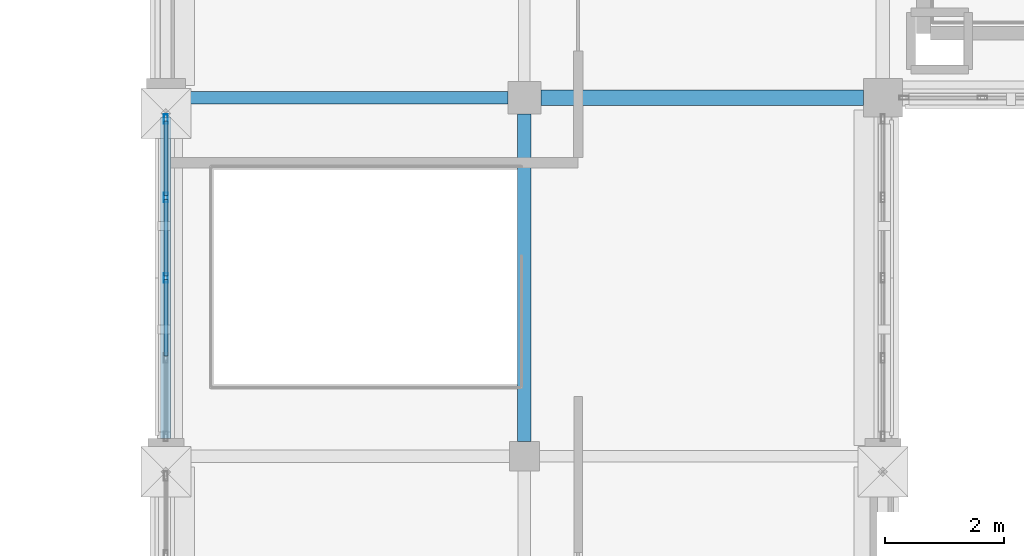
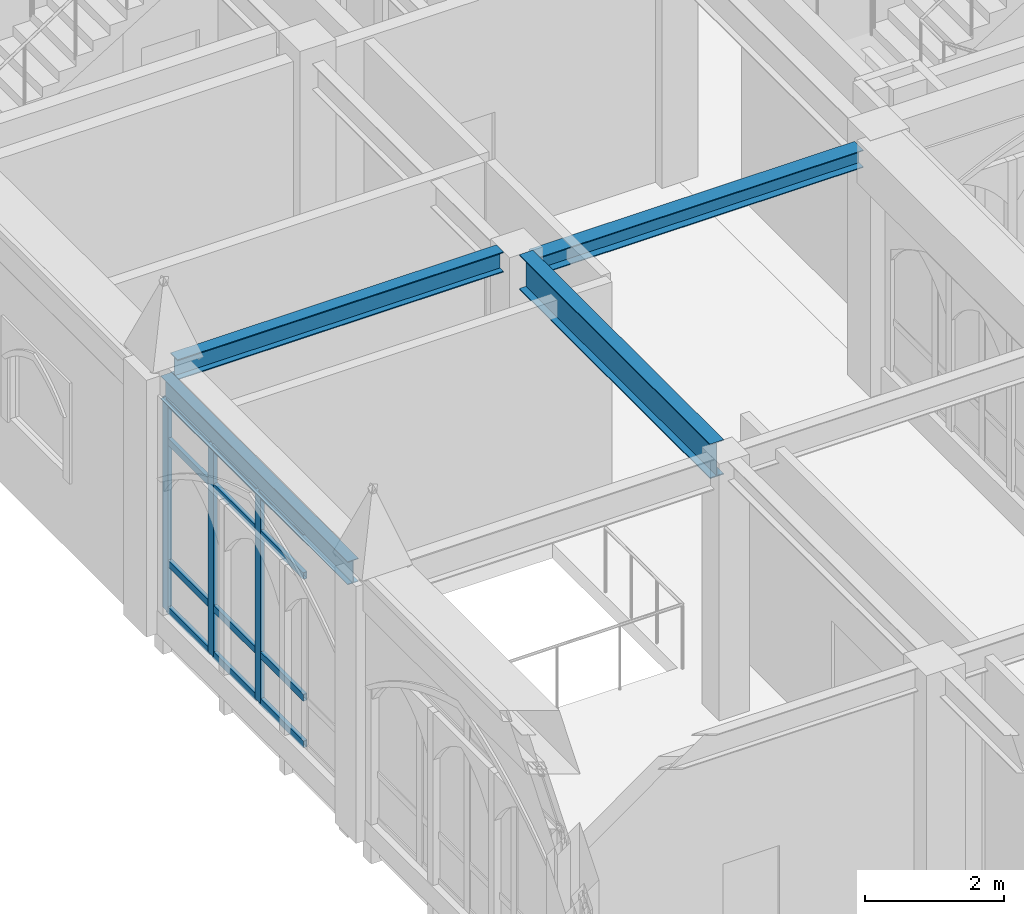
# One storey, part 17 of 143: 15 members, 4 beams, 1 element without a shape of its own.
"""IFC4 building model written with IfcOpenShell, lengths in metres."""

from ifc_helpers import new_model, si_unit, direction, frame, origin, origin_2d, place, context, subcontext, project, spatial, hollow_rectangle, i_section, extrude, material, layer, layer_set, material_profile, profile_set, type_object, element, aggregate, save


model = new_model("IFC4")

# Units and contexts
model_context = context("Model", 3, precision=1e-05, world=origin(), true_north=direction((0.0, 1.0)))
body_context = subcontext(model_context, "Body", "Model", "MODEL_VIEW")
ifc_project = project(units=[si_unit("LENGTHUNIT", "METRE"), si_unit("AREAUNIT", "SQUARE_METRE"), si_unit("VOLUMEUNIT", "CUBIC_METRE"), si_unit("PLANEANGLEUNIT", "RADIAN"), si_unit("MASSUNIT", "GRAM", prefix="KILO")], contexts=[model_context])

# Site, building, storey
site_placement = place(None, origin())
site = spatial("IfcSite", under=ifc_project, at=site_placement, CompositionType="ELEMENT")
building_placement = place(site_placement, origin())
building = spatial("IfcBuilding", under=site, at=building_placement, Name="Cumevento Cable Car Station", CompositionType="ELEMENT")
storey_placement = place(building_placement, frame((0.0, 0.0, 9.0)))
storey = spatial("IfcBuildingStorey", under=building, at=storey_placement, Name="L03", CompositionType="ELEMENT", Elevation=9.0)

# Curtain wall, members
ifc_material_1 = material(Name="Anodised Bronze Aluminium AW-6063-T6", Category="aluminium")
ifc_layer = layer(ifc_material_1, 0.18994140625)
ifc_layer_set = layer_set([ifc_layer], Name="Anodised Bronze Aluminium AW-6063-T6")
curtain_wall_type = type_object("IfcCurtainWallType", Name="Lancet Curtain Wall CW-06 1250", PredefinedType="NOTDEFINED", material=ifc_layer_set)
curtain_wall_placement = place(storey_placement, origin())
curtain_wall = element("IfcCurtainWall", 1, at=curtain_wall_placement, inside=storey, type_object=curtain_wall_type, Name="Lancet Curtain Wall CW-06 L03 #85", PredefinedType="NOTDEFINED")
ifc_material_2 = material(Name="Anodised Bronze Aluminium AW-6063-T6", Category="aluminium")
ifc_material_profile_1 = material_profile(ifc_material_2, hollow_rectangle(XDim=0.06494140625, YDim=0.159912109375, WallThickness=0.00390625, at=origin_2d()), Name="ALUM65x160x4")
ifc_profile_set_1 = profile_set([ifc_material_profile_1], Name="Anodised Bronze Aluminium AW-6063-T6")
member_type_1 = type_object("IfcMemberType", Name="Curtain Mullion CWM-01 ALUM65x160x4", PredefinedType="MULLION", material=ifc_profile_set_1)
member_1_placement = place(storey_placement, frame((58.0, 29.987548828125, 0.409912109375), z_axis=(0.0, 0.0, 1.0), x_axis=(-1.0, 0.0, 0.0)))
member_1 = element("IfcMember", 2, at=member_1_placement, type_object=member_type_1, Name="CW-06 mullion 3", PredefinedType="MULLION", context=body_context, shape_type="SweptSolid", body=[
    extrude(hollow_rectangle(XDim=0.06494140625, YDim=0.159912109375, WallThickness=0.00390625, at=origin_2d()), origin(), (0.0, 0.0, 1.0), 3.68310546875),
])
member_2_placement = place(storey_placement, frame((58.0, 31.331298828125, 0.409912109375), z_axis=(0.0, 0.0, 1.0), x_axis=(-1.0, 0.0, 0.0)))
member_2 = element("IfcMember", 3, at=member_2_placement, type_object=member_type_1, Name="CW-06 mullion 4", PredefinedType="MULLION", context=body_context, shape_type="SweptSolid", body=[
    extrude(hollow_rectangle(XDim=0.06494140625, YDim=0.159912109375, WallThickness=0.00390625, at=origin_2d()), origin(), (0.0, 0.0, 1.0), 3.68310546875),
])
member_3_placement = place(storey_placement, frame((58.0, 32.642578125, 0.409912109375), z_axis=(0.0, 0.0, 1.0), x_axis=(-1.0, 0.0, 0.0)))
member_3 = element("IfcMember", 4, at=member_3_placement, type_object=member_type_1, Name="CW-06 mullion 5", PredefinedType="MULLION", context=body_context, shape_type="SweptSolid", body=[
    extrude(hollow_rectangle(XDim=0.06494140625, YDim=0.159912109375, WallThickness=0.00390625, at=origin_2d()), origin(), (0.0, 0.0, 1.0), 3.68310546875),
])
ifc_material_3 = material(Name="Anodised Bronze Aluminium AW-6063-T6", Category="aluminium")
ifc_material_profile_2 = material_profile(ifc_material_3, hollow_rectangle(XDim=0.06494140625, YDim=0.1201171875, WallThickness=0.00390625, at=origin_2d()), Name="ALUT65x120x4")
ifc_profile_set_2 = profile_set([ifc_material_profile_2], Name="Anodised Bronze Aluminium AW-6063-T6")
member_type_2 = type_object("IfcMemberType", Name="Curtain Transom CWT-01 ALUT65x120x4", PredefinedType="USERDEFINED", material=ifc_profile_set_2)
member_4_placement = place(storey_placement, frame((58.0, 28.67626953125, 0.4423828125), z_axis=(0.0, 1.0, 0.0), x_axis=(-1.0, 0.0, 0.0)))
member_4 = element("IfcMember", 5, at=member_4_placement, type_object=member_type_2, Name="CW-06 transom 2.1", ObjectType="TRANSOM", PredefinedType="USERDEFINED", context=body_context, shape_type="SweptSolid", body=[
    extrude(hollow_rectangle(XDim=0.06494140625, YDim=0.1201171875, WallThickness=0.00390625, at=origin_2d()), origin(), (0.0, 0.0, 1.0), 1.27880859375),
])
member_5_placement = place(storey_placement, frame((58.0, 28.67626953125, 1.260009765625), z_axis=(0.0, 1.0, 0.0), x_axis=(-1.0, 0.0, 0.0)))
member_5 = element("IfcMember", 6, at=member_5_placement, type_object=member_type_2, Name="CW-06 transom 2.2", ObjectType="TRANSOM", PredefinedType="USERDEFINED", context=body_context, shape_type="SweptSolid", body=[
    extrude(hollow_rectangle(XDim=0.06494140625, YDim=0.1201171875, WallThickness=0.00390625, at=origin_2d()), origin(), (0.0, 0.0, 1.0), 1.27880859375),
])
member_6_placement = place(storey_placement, frame((58.0, 28.67626953125, 3.39306640625), z_axis=(0.0, 1.0, 0.0), x_axis=(-1.0, 0.0, 0.0)))
member_6 = element("IfcMember", 7, at=member_6_placement, type_object=member_type_2, Name="CW-06 transom 2.3", ObjectType="TRANSOM", PredefinedType="USERDEFINED", context=body_context, shape_type="SweptSolid", body=[
    extrude(hollow_rectangle(XDim=0.06494140625, YDim=0.1201171875, WallThickness=0.00390625, at=origin_2d()), origin(), (0.0, 0.0, 1.0), 1.27880859375),
])
member_7_placement = place(storey_placement, frame((58.0, 28.67626953125, 4.060546875), z_axis=(0.0, 1.0, 0.0), x_axis=(-1.0, 0.0, 0.0)))
member_7 = element("IfcMember", 8, at=member_7_placement, type_object=member_type_2, Name="CW-06 transom 2.4", ObjectType="TRANSOM", PredefinedType="USERDEFINED", context=body_context, shape_type="SweptSolid", body=[
    extrude(hollow_rectangle(XDim=0.06494140625, YDim=0.1201171875, WallThickness=0.00390625, at=origin_2d()), origin(), (0.0, 0.0, 1.0), 1.27880859375),
])
member_8_placement = place(storey_placement, frame((58.0, 30.02001953125, 0.4423828125), z_axis=(0.0, 1.0, 0.0), x_axis=(-1.0, 0.0, 0.0)))
member_8 = element("IfcMember", 9, at=member_8_placement, type_object=member_type_2, Name="CW-06 transom 3.1", ObjectType="TRANSOM", PredefinedType="USERDEFINED", context=body_context, shape_type="SweptSolid", body=[
    extrude(hollow_rectangle(XDim=0.06494140625, YDim=0.1201171875, WallThickness=0.00390625, at=origin_2d()), origin(), (0.0, 0.0, 1.0), 1.27880859375),
])
member_9_placement = place(storey_placement, frame((58.0, 30.02001953125, 1.260009765625), z_axis=(0.0, 1.0, 0.0), x_axis=(-1.0, 0.0, 0.0)))
member_9 = element("IfcMember", 10, at=member_9_placement, type_object=member_type_2, Name="CW-06 transom 3.2", ObjectType="TRANSOM", PredefinedType="USERDEFINED", context=body_context, shape_type="SweptSolid", body=[
    extrude(hollow_rectangle(XDim=0.06494140625, YDim=0.1201171875, WallThickness=0.00390625, at=origin_2d()), origin(), (0.0, 0.0, 1.0), 1.27880859375),
])
member_10_placement = place(storey_placement, frame((58.0, 30.02001953125, 3.39306640625), z_axis=(0.0, 1.0, 0.0), x_axis=(-1.0, 0.0, 0.0)))
member_10 = element("IfcMember", 11, at=member_10_placement, type_object=member_type_2, Name="CW-06 transom 3.3", ObjectType="TRANSOM", PredefinedType="USERDEFINED", context=body_context, shape_type="SweptSolid", body=[
    extrude(hollow_rectangle(XDim=0.06494140625, YDim=0.1201171875, WallThickness=0.00390625, at=origin_2d()), origin(), (0.0, 0.0, 1.0), 1.27880859375),
])
member_11_placement = place(storey_placement, frame((58.0, 30.02001953125, 4.060546875), z_axis=(0.0, 1.0, 0.0), x_axis=(-1.0, 0.0, 0.0)))
member_11 = element("IfcMember", 12, at=member_11_placement, type_object=member_type_2, Name="CW-06 transom 3.4", ObjectType="TRANSOM", PredefinedType="USERDEFINED", context=body_context, shape_type="SweptSolid", body=[
    extrude(hollow_rectangle(XDim=0.06494140625, YDim=0.1201171875, WallThickness=0.00390625, at=origin_2d()), origin(), (0.0, 0.0, 1.0), 1.27880859375),
])
member_12_placement = place(storey_placement, frame((58.0, 31.36376953125, 0.4423828125), z_axis=(0.0, 1.0, 0.0), x_axis=(-1.0, 0.0, 0.0)))
member_12 = element("IfcMember", 13, at=member_12_placement, type_object=member_type_2, Name="CW-06 transom 4.1", ObjectType="TRANSOM", PredefinedType="USERDEFINED", context=body_context, shape_type="SweptSolid", body=[
    extrude(hollow_rectangle(XDim=0.06494140625, YDim=0.1201171875, WallThickness=0.00390625, at=origin_2d()), origin(), (0.0, 0.0, 1.0), 1.246337890625),
])
member_13_placement = place(storey_placement, frame((58.0, 31.36376953125, 1.260009765625), z_axis=(0.0, 1.0, 0.0), x_axis=(-1.0, 0.0, 0.0)))
member_13 = element("IfcMember", 14, at=member_13_placement, type_object=member_type_2, Name="CW-06 transom 4.2", ObjectType="TRANSOM", PredefinedType="USERDEFINED", context=body_context, shape_type="SweptSolid", body=[
    extrude(hollow_rectangle(XDim=0.06494140625, YDim=0.1201171875, WallThickness=0.00390625, at=origin_2d()), origin(), (0.0, 0.0, 1.0), 1.246337890625),
])
member_14_placement = place(storey_placement, frame((58.0, 31.36376953125, 3.39306640625), z_axis=(0.0, 1.0, 0.0), x_axis=(-1.0, 0.0, 0.0)))
member_14 = element("IfcMember", 15, at=member_14_placement, type_object=member_type_2, Name="CW-06 transom 4.3", ObjectType="TRANSOM", PredefinedType="USERDEFINED", context=body_context, shape_type="SweptSolid", body=[
    extrude(hollow_rectangle(XDim=0.06494140625, YDim=0.1201171875, WallThickness=0.00390625, at=origin_2d()), origin(), (0.0, 0.0, 1.0), 1.246337890625),
])
member_15_placement = place(storey_placement, frame((58.0, 31.36376953125, 4.060546875), z_axis=(0.0, 1.0, 0.0), x_axis=(-1.0, 0.0, 0.0)))
member_15 = element("IfcMember", 16, at=member_15_placement, type_object=member_type_2, Name="CW-06 transom 4.4", ObjectType="TRANSOM", PredefinedType="USERDEFINED", context=body_context, shape_type="SweptSolid", body=[
    extrude(hollow_rectangle(XDim=0.06494140625, YDim=0.1201171875, WallThickness=0.00390625, at=origin_2d()), origin(), (0.0, 0.0, 1.0), 1.246337890625),
])
aggregate(curtain_wall, [member_1, member_2, member_3, member_4, member_5, member_6, member_7, member_8, member_9, member_10, member_11, member_12, member_13, member_14, member_15])

# Beams
ifc_material_4 = material(Name="Steel ASTM A572 Grade 50", Category="steel")
ifc_material_profile_3 = material_profile(ifc_material_4, i_section(OverallWidth=0.22802734375, OverallDepth=0.60791015625, WebThickness=0.01123046875, FlangeThickness=0.017333984375, at=origin_2d()), Name="W610x113.0")
ifc_profile_set_3 = profile_set([ifc_material_profile_3], Name="Steel ASTM A572 Grade 50")
beam_type_1 = type_object("IfcBeamType", Name="Structural Beam BM-02 W610x113.0", PredefinedType="BEAM", material=ifc_profile_set_3)
beam_1_placement = place(storey_placement, frame((64.0, 27.25, 4.196044921875), z_axis=(0.0, 1.0, 0.0), x_axis=(-1.0, 0.0, 0.0)))
element("IfcBeam", 17, at=beam_1_placement, inside=storey, type_object=beam_type_1, Name="Beam BM-02 L03 #982", PredefinedType="BEAM", context=body_context, shape_type="SweptSolid", body=[
    extrude(i_section(OverallWidth=0.22802734375, OverallDepth=0.60791015625, WebThickness=0.01123046875, FlangeThickness=0.017333984375, at=origin_2d()), origin(), (0.0, 0.0, 1.0), 5.47509765625),
])
ifc_material_5 = material(Name="Steel ASTM A572 Grade 50", Category="steel")
ifc_material_profile_4 = material_profile(ifc_material_5, i_section(OverallWidth=0.205078125, OverallDepth=0.35400390625, WebThickness=0.009521484375, FlangeThickness=0.016845703125, at=origin_2d()), Name="W360x79.0")
ifc_profile_set_4 = profile_set([ifc_material_profile_4], Name="Steel ASTM A572 Grade 50")
beam_type_2 = type_object("IfcBeamType", Name="Structural Beam BM-05 W360x79.0", PredefinedType="BEAM", material=ifc_profile_set_4)
beam_2_placement = place(storey_placement, frame((58.324951171875, 33.0, 4.322998046875), z_axis=(1.0, 0.0, 0.0), x_axis=(0.0, 1.0, 0.0)))
element("IfcBeam", 18, at=beam_2_placement, inside=storey, type_object=beam_type_2, Name="Beam BM-05 L03 #970", PredefinedType="BEAM", context=body_context, shape_type="SweptSolid", body=[
    extrude(i_section(OverallWidth=0.205078125, OverallDepth=0.35400390625, WebThickness=0.009521484375, FlangeThickness=0.016845703125, at=origin_2d()), origin(), (0.0, 0.0, 1.0), 5.400146484375),
])
ifc_material_6 = material(Name="Steel ASTM A572 Grade 50", Category="steel")
ifc_material_profile_5 = material_profile(ifc_material_6, i_section(OverallWidth=0.25390625, OverallDepth=0.305908203125, WebThickness=0.0087890625, FlangeThickness=0.0146484375, at=origin_2d()), Name="W310x79.0")
ifc_profile_set_5 = profile_set([ifc_material_profile_5], Name="Steel ASTM A572 Grade 50")
beam_type_3 = type_object("IfcBeamType", Name="Structural Beam BM-06 W310x79.0", PredefinedType="BEAM", material=ifc_profile_set_5)
beam_3_placement = place(storey_placement, frame((64.27490234375, 33.0, 4.06298828125), z_axis=(1.0, 0.0, 0.0), x_axis=(0.0, 1.0, 0.0)))
element("IfcBeam", 19, at=beam_3_placement, inside=storey, type_object=beam_type_3, Name="Beam BM-06 L03 #971", PredefinedType="BEAM", context=body_context, shape_type="SweptSolid", body=[
    extrude(i_section(OverallWidth=0.25390625, OverallDepth=0.305908203125, WebThickness=0.0087890625, FlangeThickness=0.0146484375, at=origin_2d()), origin(), (0.0, 0.0, 1.0), 5.400146484375),
])
ifc_material_7 = material(Name="Steel ASTM A572 Grade 50", Category="steel")
ifc_material_profile_6 = material_profile(ifc_material_7, i_section(OverallWidth=0.177978515625, OverallDepth=0.406982421875, WebThickness=0.0078125, FlangeThickness=0.0126953125, at=origin_2d()), Name="W410x60.0")
ifc_profile_set_6 = profile_set([ifc_material_profile_6], Name="Steel ASTM A572 Grade 50")
beam_type_4 = type_object("IfcBeamType", Name="Structural Spandrel SP-01 W410x60.0", PredefinedType="SPANDREL", material=ifc_profile_set_6)
beam_4_placement = place(storey_placement, frame((58.0, 27.300048828125, 4.29638671875), z_axis=(0.0, 1.0, 0.0), x_axis=(-1.0, 0.0, 0.0)))
element("IfcBeam", 20, at=beam_4_placement, inside=storey, type_object=beam_type_4, Name="Beam SP-01 L03 #977", PredefinedType="SPANDREL", context=body_context, shape_type="SweptSolid", body=[
    extrude(i_section(OverallWidth=0.177978515625, OverallDepth=0.406982421875, WebThickness=0.0078125, FlangeThickness=0.0126953125, at=origin_2d()), origin(), (0.0, 0.0, 1.0), 5.375),
])

save(model, "model.ifc")
